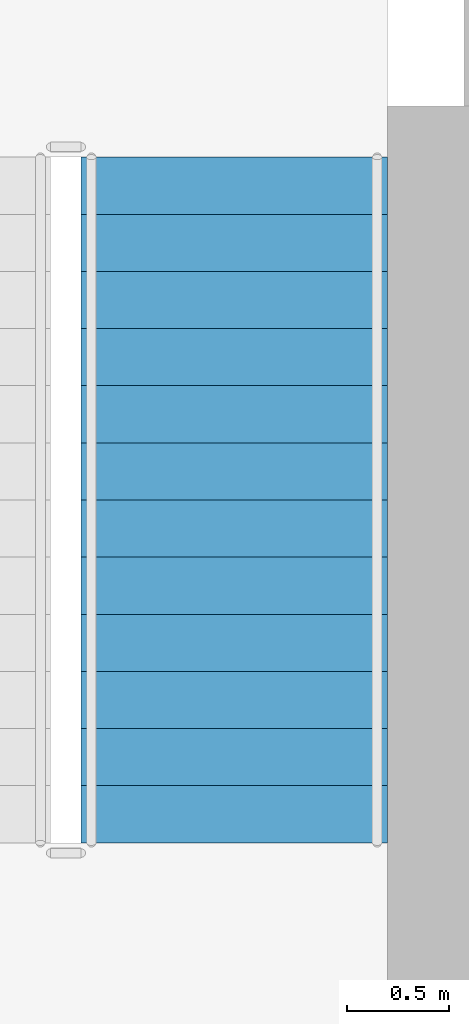
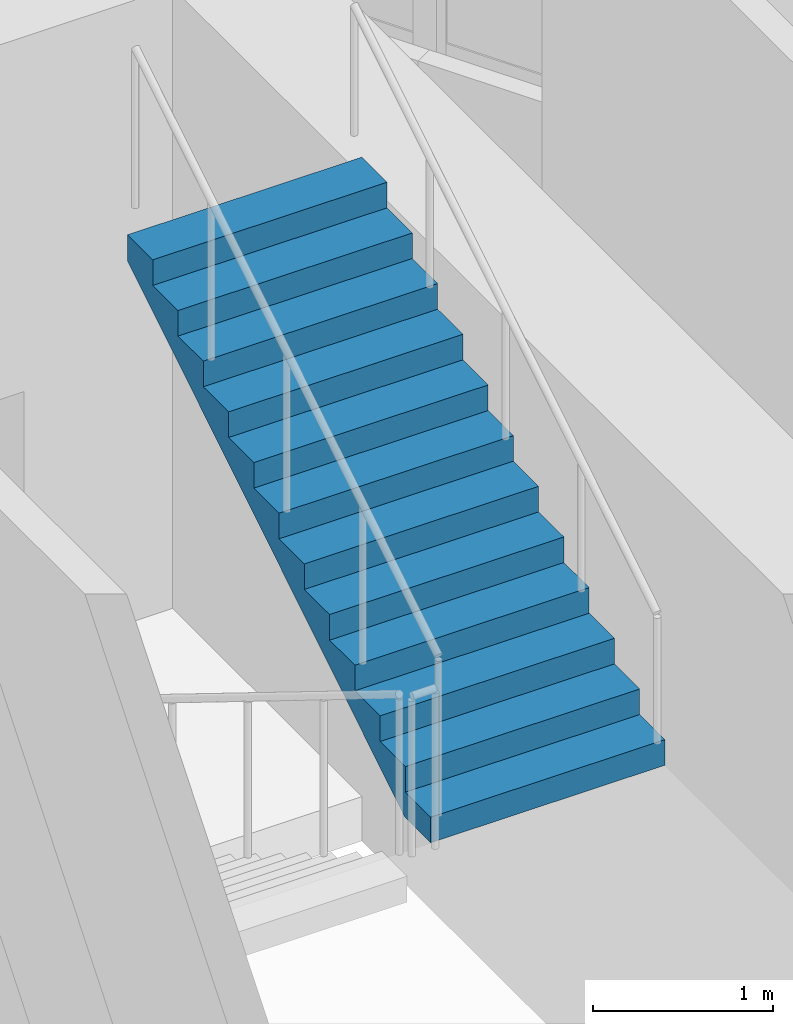
# One storey, part 22 of 25: 1 stair flight, 1 element without a shape of its own.
"""IFC4 building model written with IfcOpenShell, lengths in metres."""

import ifcopenshell
import ifcopenshell.guid

model = None  # the IFC model being written
_history = None  # IfcOwnerHistory: only IFC2X3 demands one
_inside = {}  # id of a spatial element -> (the spatial element, [elements in it])
_under = {}  # id of a project, library or spatial element -> (it, [spatial elements below it])
_declared = {}  # id of a project -> (the project, [libraries it declares])
_typed = {}  # id of a type object -> (the type object, [elements of that type])
_made_of = {}  # id of a material, layer set ... -> (it, [elements and type objects made of it])


def new_model(schema):
    """Start an empty IFC model of exactly this schema.

    Asked for "IFC4X3", IfcOpenShell would pick the latest addendum, in which some entities
    have other attributes; the version numbers below select the first issue.
    IFC2X3 requires an IfcOwnerHistory on every rooted entity: one is made here for all.
    """
    global model, _history
    if schema == "IFC4X3":
        model = ifcopenshell.file(schema_version=(4, 3, 0, 0))
    else:
        model = ifcopenshell.file(schema=schema)
    _inside.clear()
    _under.clear()
    _declared.clear()
    _typed.clear()
    _made_of.clear()
    _history = None
    if model.schema == "IFC2X3":
        org = make("IfcOrganization", Name="unknown")
        user = make(
            "IfcPersonAndOrganization",
            ThePerson=make("IfcPerson", FamilyName="unknown"),
            TheOrganization=org,
        )
        app = make(
            "IfcApplication",
            ApplicationDeveloper=org,
            Version="unknown",
            ApplicationFullName="unknown",
            ApplicationIdentifier="unknown",
        )
        _history = make(
            "IfcOwnerHistory",
            OwningUser=user,
            OwningApplication=app,
            ChangeAction="ADDED",
            CreationDate=0,
        )
    return model


def make(cls, **values):
    """One entity of the class cls with the attributes given. An attribute that is None is left unset."""
    return model.create_entity(
        cls, **{name: value for name, value in values.items() if value is not None}
    )


def rooted(cls, **values):
    """An entity with a GlobalId (a new one), such as an element, a storey or a relation."""
    return make(cls, GlobalId=ifcopenshell.guid.new(), OwnerHistory=_history, **values)


def si_unit(unit_type, name, prefix=None):
    """IfcSIUnit, for example si_unit("LENGTHUNIT", "METRE", prefix="MILLI")."""
    return make("IfcSIUnit", UnitType=unit_type, Prefix=prefix, Name=name)


def assignment(units):
    """IfcUnitAssignment: the units of a project."""
    return None if units is None else make("IfcUnitAssignment", Units=units)


def point(xyz):
    """IfcCartesianPoint."""
    return None if xyz is None else make("IfcCartesianPoint", Coordinates=xyz)


def direction(xyz):
    """IfcDirection."""
    return None if xyz is None else make("IfcDirection", DirectionRatios=xyz)


def frame(location, z_axis=None, x_axis=None):
    """IfcAxis2Placement3D, a coordinate frame: its origin and axes. An axis left out is left unset."""
    return make(
        "IfcAxis2Placement3D",
        Location=point(location),
        Axis=direction(z_axis),
        RefDirection=direction(x_axis),
    )


def origin():
    """The frame at (0, 0, 0) with its axes left unset."""
    return frame((0.0, 0.0, 0.0))


def place(relative_to, where):
    """IfcLocalPlacement: puts the frame where relative to a parent placement (None: the world)."""
    return make(
        "IfcLocalPlacement", PlacementRelTo=relative_to, RelativePlacement=where
    )


def context(
    kind, dimensions, precision=None, world=None, true_north=None, identifier=None
):
    """IfcGeometricRepresentationContext, for example the 3D "Model" context."""
    return make(
        "IfcGeometricRepresentationContext",
        ContextIdentifier=identifier,
        ContextType=kind,
        CoordinateSpaceDimension=dimensions,
        Precision=precision,
        WorldCoordinateSystem=world,
        TrueNorth=true_north,
    )


def subcontext(parent, identifier, kind, view, scale=None):
    """IfcGeometricRepresentationSubContext, for example "Body" below "Model"."""
    return make(
        "IfcGeometricRepresentationSubContext",
        ContextIdentifier=identifier,
        ContextType=kind,
        ParentContext=parent,
        TargetScale=scale,
        TargetView=view,
    )


def project(units=None, contexts=None):
    """IfcProject with its units and contexts."""
    return rooted(
        "IfcProject",
        Name="project",
        RepresentationContexts=contexts,
        UnitsInContext=assignment(units),
    )


def spatial(cls, under=None, at=None, **own):
    """A site, building, storey or space (cls), placed at a placement, below another one or the project."""
    s = rooted(cls, ObjectPlacement=at, **own)
    if under is not None:
        _under.setdefault(under.id(), (under, []))[1].append(s)
    return s


def polyline(points):
    """IfcPolyline through the points."""
    return make("IfcPolyline", Points=[point(p) for p in points])


def outline(outer, holes=None, kind="AREA"):
    """IfcArbitraryClosedProfileDef: a profile drawn as a closed curve; with holes, ...WithVoids."""
    if holes is None:
        return make("IfcArbitraryClosedProfileDef", ProfileType=kind, OuterCurve=outer)
    return make(
        "IfcArbitraryProfileDefWithVoids",
        ProfileType=kind,
        OuterCurve=outer,
        InnerCurves=holes,
    )


def extrude(swept, where, along, depth):
    """IfcExtrudedAreaSolid: the profile swept, set in the frame where, extruded along a direction by depth."""
    return make(
        "IfcExtrudedAreaSolid",
        SweptArea=swept,
        Position=where,
        ExtrudedDirection=direction(along),
        Depth=depth,
    )


def shape(context_of_items, identifier, shape_type, items):
    """IfcShapeRepresentation: the items that make up one representation, for example the "Body"."""
    return make(
        "IfcShapeRepresentation",
        ContextOfItems=context_of_items,
        RepresentationIdentifier=identifier,
        RepresentationType=shape_type,
        Items=items,
    )


def material(Name=None, Category=None):
    """IfcMaterial."""
    return make("IfcMaterial", Name=Name, Category=Category)


def made_of(thing, what):
    """Note that an element or type object is made of a material, layer set ...; save() writes the relation."""
    if what is not None:
        _made_of.setdefault(what.id(), (what, []))[1].append(thing)
    return thing


def type_object(cls, material=None, **own):
    """A type object (cls), such as IfcWallType, which elements share."""
    return made_of(rooted(cls, **own), material)


def element(
    cls,
    number,
    at=None,
    inside=None,
    cuts=None,
    type_object=None,
    material=None,
    context=None,
    identifier="Body",
    shape_type=None,
    held_by="IfcProductDefinitionShape",
    body=None,
    shapes=None,
    **own,
):
    """One element of the class cls, such as IfcWall. Its Tag is "e" and its number.

    at: its placement. inside: the storey or other place that contains it. cuts: it is an
    opening in that element (IfcRelVoidsElement). A single representation is given by context,
    identifier, shape_type and body (its items); several are given by shapes. held_by: the class
    of the entity that holds the representations. save() writes the other relations.
    """
    e = rooted(cls, Tag="e%d" % number, ObjectPlacement=at, **own)
    if body is not None:
        shapes = [shape(context, identifier, shape_type, body)]
    if shapes is not None:
        e.Representation = make(held_by, Representations=shapes)
    if inside is not None:
        _inside.setdefault(inside.id(), (inside, []))[1].append(e)
    if cuts is not None:
        rooted(
            "IfcRelVoidsElement", RelatingBuildingElement=cuts, RelatedOpeningElement=e
        )
    if type_object is not None:
        _typed.setdefault(type_object.id(), (type_object, []))[1].append(e)
    return made_of(e, material)


def aggregate(whole, parts):
    """IfcRelAggregates: a whole, such as a stair, and the parts it consists of."""
    return rooted("IfcRelAggregates", RelatingObject=whole, RelatedObjects=parts)


def save(model, path):
    """Write the relations noted so far, then the file.

    IfcRelAggregates (storeys below a building ...), IfcRelContainedInSpatialStructure (elements
    in a storey), IfcRelDefinesByType, IfcRelAssociatesMaterial and IfcRelDeclares: one each for
    every whole, place, type object, material and project.
    """
    for whole, parts in _under.values():
        aggregate(whole, parts)
    for where, things in _inside.values():
        rooted(
            "IfcRelContainedInSpatialStructure",
            RelatedElements=things,
            RelatingStructure=where,
        )
    for kind, things in _typed.values():
        rooted("IfcRelDefinesByType", RelatedObjects=things, RelatingType=kind)
    for what, things in _made_of.values():
        rooted("IfcRelAssociatesMaterial", RelatedObjects=things, RelatingMaterial=what)
    for by, libraries in _declared.values():
        rooted("IfcRelDeclares", RelatingContext=by, RelatedDefinitions=libraries)
    model.write(path)


model = new_model("IFC4")

# Units and contexts
model_context = context("Model", 3, precision=1e-05, world=origin(), true_north=direction((0.0, 1.0)))
body_context = subcontext(model_context, "Body", "Model", "MODEL_VIEW")
ifc_project = project(units=[si_unit("LENGTHUNIT", "METRE"), si_unit("AREAUNIT", "SQUARE_METRE"), si_unit("VOLUMEUNIT", "CUBIC_METRE"), si_unit("PLANEANGLEUNIT", "RADIAN"), si_unit("MASSUNIT", "GRAM", prefix="KILO")], contexts=[model_context])

# Site, building, storey
site_placement = place(None, origin())
site = spatial("IfcSite", under=ifc_project, at=site_placement, CompositionType="ELEMENT")
building_placement = place(site_placement, origin())
building = spatial("IfcBuilding", under=site, at=building_placement, Name="Ostrander Bayou Hotel Tower", CompositionType="ELEMENT")
storey_placement = place(building_placement, frame((0.0, 0.0, 275.0)))
storey = spatial("IfcBuildingStorey", under=building, at=storey_placement, Name="L68", CompositionType="ELEMENT", Elevation=275.0)

# Stair, stair flight
ifc_material_1 = material(Name="Concrete f'c 45 MPa", Category="concrete")
stair_type = type_object("IfcStairType", Name="ST1 exit stair 1500 mm f'c 45 MPa", PredefinedType="HALF_TURN_STAIR", material=ifc_material_1)
stair_placement = place(storey_placement, origin())
stair = element("IfcStair", 1, at=stair_placement, inside=storey, type_object=stair_type, Name="L68 exit stair B", PredefinedType="HALF_TURN_STAIR")
ifc_material_2 = material(Name="Concrete f'c 45 MPa", Category="concrete")
stair_flight_type = type_object("IfcStairFlightType", Name="SF1 stair flight 1500 mm f'c 45 MPa", PredefinedType="STRAIGHT", material=ifc_material_2)
stair_flight_placement = place(storey_placement, frame((6.949951171875, 3.639892578125, 2.25), z_axis=(0.0, 0.0, 1.0), x_axis=(0.0, 1.0, 0.0)))
stair_flight = element("IfcStairFlight", 2, at=stair_flight_placement, type_object=stair_flight_type, Name="STB flight 2", NumberOfRisers=13, NumberOfTreads=12, PredefinedType="STRAIGHT", RiserHeight=0.173076923, TreadLength=0.28, context=body_context, shape_type="SweptSolid", body=[
    extrude(outline(polyline([(0.0, 0.0), (0.0, 0.173095703125), (0.280029296875, 0.173095703125), (0.280029296875, 0.34619140625), (0.56005859375, 0.34619140625), (0.56005859375, 0.519287109375), (0.840087890625, 0.519287109375), (0.840087890625, 0.6923828125), (1.1201171875, 0.6923828125), (1.1201171875, 0.865478515625), (1.39990234375, 0.865478515625), (1.39990234375, 1.03857421875), (1.679931640625, 1.03857421875), (1.679931640625, 1.21142578125), (1.9599609375, 1.21142578125), (1.9599609375, 1.384521484375), (2.239990234375, 1.384521484375), (2.239990234375, 1.5576171875), (2.52001953125, 1.5576171875), (2.52001953125, 1.730712890625), (2.800048828125, 1.730712890625), (2.800048828125, 1.90380859375), (3.080078125, 1.90380859375), (3.080078125, 2.076904296875), (3.360107421875, 2.076904296875), (3.360107421875, 2.25), (3.360107421875, 1.900634765625), (0.28515625, 0.0), (0.0, 0.0)])), frame((0.0, 0.75, 0.0), z_axis=(0.0, -1.0, 0.0), x_axis=(1.0, 0.0, 0.0)), (0.0, 0.0, 1.0), 1.5),
])
aggregate(stair, [stair_flight])

save(model, "model.ifc")
